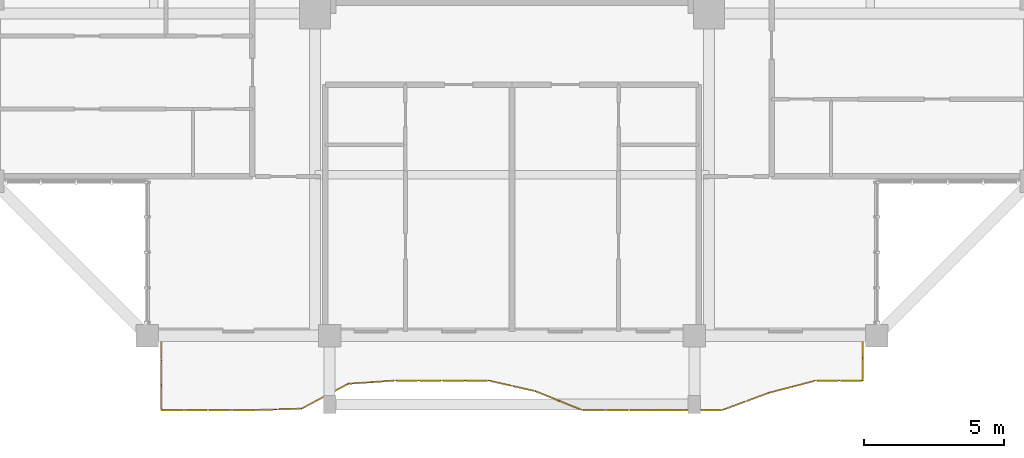
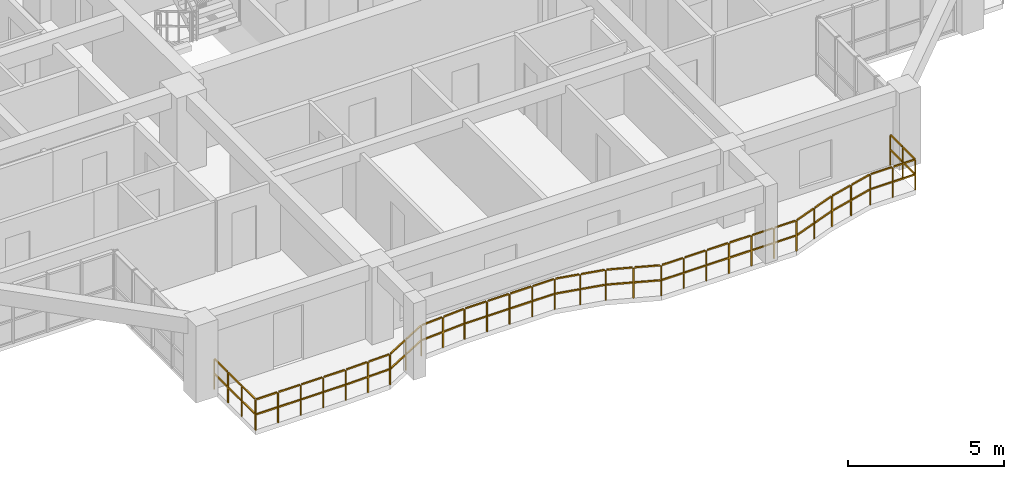
# One storey, part 18 of 22: 1 railing.
"""IFC4 building model written with IfcOpenShell, lengths in metres."""

from ifc_helpers import new_model, si_unit, direction, frame, origin, origin_2d, place, context, subcontext, project, spatial, rectangle, extrude, material, type_object, element, save


model = new_model("IFC4")

# Units and contexts
model_context = context("Model", 3, precision=1e-05, world=origin(), true_north=direction((0.0, 1.0)))
body_context = subcontext(model_context, "Body", "Model", "MODEL_VIEW")
ifc_project = project(units=[si_unit("LENGTHUNIT", "METRE"), si_unit("AREAUNIT", "SQUARE_METRE"), si_unit("VOLUMEUNIT", "CUBIC_METRE"), si_unit("PLANEANGLEUNIT", "RADIAN"), si_unit("MASSUNIT", "GRAM", prefix="KILO")], contexts=[model_context])

# Site, building, storey
site_placement = place(None, origin())
site = spatial("IfcSite", under=ifc_project, at=site_placement, CompositionType="ELEMENT")
building_placement = place(site_placement, origin())
building = spatial("IfcBuilding", under=site, at=building_placement, Name="Saelheon Loggia Tower", CompositionType="ELEMENT")
storey_placement = place(building_placement, frame((0.0, 0.0, 196.60009765625)))
storey = spatial("IfcBuildingStorey", under=building, at=storey_placement, Name="L61", CompositionType="ELEMENT", Elevation=196.60009765625)

# Railing
ifc_material = material(Name="Architectural Precast Concrete and Laminated Glass Guard", Category="concrete")
railing_type = type_object("IfcRailingType", Name="Guard_Loggia_RL_LOG", PredefinedType="BALUSTRADE", material=ifc_material)
railing_placement = place(storey_placement, frame((25.5, 6.0, 0.0)))
element("IfcRailing", 1, at=railing_placement, inside=storey, type_object=railing_type, Name="L61 South Loggia Balustrade", PredefinedType="BALUSTRADE", context=body_context, shape_type="SweptSolid", body=[
    extrude(rectangle(XDim=0.048095703125, YDim=0.048095703125, at=origin_2d()), frame((0.0, -0.033203125, 1.19580078125), z_axis=(0.0, -1.0, 0.0), x_axis=(1.0, 0.0, 0.0)), (0.0, 0.0, 1.0), 0.81689453125),
    extrude(rectangle(XDim=0.048095703125, YDim=0.048095703125, at=origin_2d()), frame((0.0, -0.033203125, 0.60986328125), z_axis=(0.0, -1.0, 0.0), x_axis=(1.0, 0.0, 0.0)), (0.0, 0.0, 1.0), 0.81689453125),
    extrude(rectangle(XDim=0.048095703125, YDim=0.048095703125, at=origin_2d()), frame((0.0, -0.91650390625, 1.19580078125), z_axis=(0.0, -1.0, 0.0), x_axis=(1.0, 0.0, 0.0)), (0.0, 0.0, 1.0), 0.81689453125),
    extrude(rectangle(XDim=0.048095703125, YDim=0.048095703125, at=origin_2d()), frame((0.0, -0.91650390625, 0.60986328125), z_axis=(0.0, -1.0, 0.0), x_axis=(1.0, 0.0, 0.0)), (0.0, 0.0, 1.0), 0.81689453125),
    extrude(rectangle(XDim=0.048095703125, YDim=0.048095703125, at=origin_2d()), frame((0.0, -1.7998046875, 1.19580078125), z_axis=(0.0, -1.0, 0.0), x_axis=(1.0, 0.0, 0.0)), (0.0, 0.0, 1.0), 0.81689453125),
    extrude(rectangle(XDim=0.048095703125, YDim=0.048095703125, at=origin_2d()), frame((0.0, -1.7998046875, 0.60986328125), z_axis=(0.0, -1.0, 0.0), x_axis=(1.0, 0.0, 0.0)), (0.0, 0.0, 1.0), 0.81689453125),
    extrude(rectangle(XDim=0.048095703125, YDim=0.048095703125, at=origin_2d()), frame((0.033203125, -2.64990234375, 1.19580078125), z_axis=(1.0, 0.0, 0.0), x_axis=(0.0, 1.0, 0.0)), (0.0, 0.0, 1.0), 0.766845703125),
    extrude(rectangle(XDim=0.048095703125, YDim=0.048095703125, at=origin_2d()), frame((0.033203125, -2.64990234375, 0.60986328125), z_axis=(1.0, 0.0, 0.0), x_axis=(0.0, 1.0, 0.0)), (0.0, 0.0, 1.0), 0.766845703125),
    extrude(rectangle(XDim=0.048095703125, YDim=0.048095703125, at=origin_2d()), frame((0.86669921875, -2.64990234375, 1.19580078125), z_axis=(1.0, 0.0, 0.0), x_axis=(0.0, 1.0, 0.0)), (0.0, 0.0, 1.0), 0.766845703125),
    extrude(rectangle(XDim=0.048095703125, YDim=0.048095703125, at=origin_2d()), frame((0.86669921875, -2.64990234375, 0.60986328125), z_axis=(1.0, 0.0, 0.0), x_axis=(0.0, 1.0, 0.0)), (0.0, 0.0, 1.0), 0.766845703125),
    extrude(rectangle(XDim=0.048095703125, YDim=0.048095703125, at=origin_2d()), frame((1.699951171875, -2.64990234375, 1.19580078125), z_axis=(1.0, 0.0, 0.0), x_axis=(0.0, 1.0, 0.0)), (0.0, 0.0, 1.0), 0.766845703125),
    extrude(rectangle(XDim=0.048095703125, YDim=0.048095703125, at=origin_2d()), frame((1.699951171875, -2.64990234375, 0.60986328125), z_axis=(1.0, 0.0, 0.0), x_axis=(0.0, 1.0, 0.0)), (0.0, 0.0, 1.0), 0.766845703125),
    extrude(rectangle(XDim=0.048095703125, YDim=0.048095703125, at=origin_2d()), frame((2.533203125, -2.64990234375, 1.19580078125), z_axis=(1.0, 0.0, 0.0), x_axis=(0.0, 1.0, 0.0)), (0.0, 0.0, 1.0), 0.766845703125),
    extrude(rectangle(XDim=0.048095703125, YDim=0.048095703125, at=origin_2d()), frame((2.533203125, -2.64990234375, 0.60986328125), z_axis=(1.0, 0.0, 0.0), x_axis=(0.0, 1.0, 0.0)), (0.0, 0.0, 1.0), 0.766845703125),
    extrude(rectangle(XDim=0.048095703125, YDim=0.048095703125, at=origin_2d()), frame((3.366455078125, -2.64892578125, 1.19580078125), z_axis=(0.999608869146, 0.027966206827, 0.0), x_axis=(-0.027966206827, 0.999608869146, 0.0)), (0.0, 0.0, 1.0), 0.767333984375),
    extrude(rectangle(XDim=0.048095703125, YDim=0.048095703125, at=origin_2d()), frame((3.366455078125, -2.64892578125, 0.60986328125), z_axis=(0.999608869146, 0.027966206827, 0.0), x_axis=(-0.027966206827, 0.999608869146, 0.0)), (0.0, 0.0, 1.0), 0.767333984375),
    extrude(rectangle(XDim=0.048095703125, YDim=0.048095703125, at=origin_2d()), frame((4.199951171875, -2.625732421875, 1.19580078125), z_axis=(0.999608869146, 0.027966206827, 0.0), x_axis=(-0.027966206827, 0.999608869146, 0.0)), (0.0, 0.0, 1.0), 0.767333984375),
    extrude(rectangle(XDim=0.048095703125, YDim=0.048095703125, at=origin_2d()), frame((4.199951171875, -2.625732421875, 0.60986328125), z_axis=(0.999608869146, 0.027966206827, 0.0), x_axis=(-0.027966206827, 0.999608869146, 0.0)), (0.0, 0.0, 1.0), 0.767333984375),
    extrude(rectangle(XDim=0.048095703125, YDim=0.048095703125, at=origin_2d()), frame((5.029296875, -2.587646484375, 1.19580078125), z_axis=(0.88224917848, 0.470782738714, 0.0), x_axis=(-0.470782738714, 0.88224917848, 0.0)), (0.0, 0.0, 1.0), 0.878173828125),
    extrude(rectangle(XDim=0.048095703125, YDim=0.048095703125, at=origin_2d()), frame((5.029296875, -2.587646484375, 0.60986328125), z_axis=(0.88224917848, 0.470782738714, 0.0), x_axis=(-0.470782738714, 0.88224917848, 0.0)), (0.0, 0.0, 1.0), 0.878173828125),
    extrude(rectangle(XDim=0.048095703125, YDim=0.048095703125, at=origin_2d()), frame((5.86279296875, -2.142822265625, 1.19580078125), z_axis=(0.88224917848, 0.470782738714, 0.0), x_axis=(-0.470782738714, 0.88224917848, 0.0)), (0.0, 0.0, 1.0), 0.878173828125),
    extrude(rectangle(XDim=0.048095703125, YDim=0.048095703125, at=origin_2d()), frame((5.86279296875, -2.142822265625, 0.60986328125), z_axis=(0.88224917848, 0.470782738714, 0.0), x_axis=(-0.470782738714, 0.88224917848, 0.0)), (0.0, 0.0, 1.0), 0.878173828125),
    extrude(rectangle(XDim=0.048095703125, YDim=0.048095703125, at=origin_2d()), frame((6.699951171875, -1.711669921875, 1.19580078125), z_axis=(0.997677827609, 0.068109854624, 0.0), x_axis=(-0.068109854624, 0.997677827609, 0.0)), (0.0, 0.0, 1.0), 0.768798828125),
    extrude(rectangle(XDim=0.048095703125, YDim=0.048095703125, at=origin_2d()), frame((6.699951171875, -1.711669921875, 0.60986328125), z_axis=(0.997677827609, 0.068109854624, 0.0), x_axis=(-0.068109854624, 0.997677827609, 0.0)), (0.0, 0.0, 1.0), 0.768798828125),
    extrude(rectangle(XDim=0.048095703125, YDim=0.048095703125, at=origin_2d()), frame((7.533203125, -1.65478515625, 1.19580078125), z_axis=(0.997677827609, 0.068109854624, 0.0), x_axis=(-0.068109854624, 0.997677827609, 0.0)), (0.0, 0.0, 1.0), 0.768798828125),
    extrude(rectangle(XDim=0.048095703125, YDim=0.048095703125, at=origin_2d()), frame((7.533203125, -1.65478515625, 0.60986328125), z_axis=(0.997677827609, 0.068109854624, 0.0), x_axis=(-0.068109854624, 0.997677827609, 0.0)), (0.0, 0.0, 1.0), 0.768798828125),
    extrude(rectangle(XDim=0.048095703125, YDim=0.048095703125, at=origin_2d()), frame((8.366455078125, -1.60009765625, 1.19580078125), z_axis=(1.0, 0.0, 0.0), x_axis=(0.0, 1.0, 0.0)), (0.0, 0.0, 1.0), 0.766845703125),
    extrude(rectangle(XDim=0.048095703125, YDim=0.048095703125, at=origin_2d()), frame((8.366455078125, -1.60009765625, 0.60986328125), z_axis=(1.0, 0.0, 0.0), x_axis=(0.0, 1.0, 0.0)), (0.0, 0.0, 1.0), 0.766845703125),
    extrude(rectangle(XDim=0.048095703125, YDim=0.048095703125, at=origin_2d()), frame((9.199951171875, -1.60009765625, 1.19580078125), z_axis=(1.0, 0.0, 0.0), x_axis=(0.0, 1.0, 0.0)), (0.0, 0.0, 1.0), 0.766845703125),
    extrude(rectangle(XDim=0.048095703125, YDim=0.048095703125, at=origin_2d()), frame((9.199951171875, -1.60009765625, 0.60986328125), z_axis=(1.0, 0.0, 0.0), x_axis=(0.0, 1.0, 0.0)), (0.0, 0.0, 1.0), 0.766845703125),
    extrude(rectangle(XDim=0.048095703125, YDim=0.048095703125, at=origin_2d()), frame((10.033203125, -1.60009765625, 1.19580078125), z_axis=(1.0, 0.0, 0.0), x_axis=(0.0, 1.0, 0.0)), (0.0, 0.0, 1.0), 0.766845703125),
    extrude(rectangle(XDim=0.048095703125, YDim=0.048095703125, at=origin_2d()), frame((10.033203125, -1.60009765625, 0.60986328125), z_axis=(1.0, 0.0, 0.0), x_axis=(0.0, 1.0, 0.0)), (0.0, 0.0, 1.0), 0.766845703125),
    extrude(rectangle(XDim=0.048095703125, YDim=0.048095703125, at=origin_2d()), frame((10.86669921875, -1.60009765625, 1.19580078125), z_axis=(1.0, 0.0, 0.0), x_axis=(0.0, 1.0, 0.0)), (0.0, 0.0, 1.0), 0.766845703125),
    extrude(rectangle(XDim=0.048095703125, YDim=0.048095703125, at=origin_2d()), frame((10.86669921875, -1.60009765625, 0.60986328125), z_axis=(1.0, 0.0, 0.0), x_axis=(0.0, 1.0, 0.0)), (0.0, 0.0, 1.0), 0.766845703125),
    extrude(rectangle(XDim=0.048095703125, YDim=0.048095703125, at=origin_2d()), frame((11.69921875, -1.607421875, 1.19580078125), z_axis=(0.975205779848, -0.221299993112, 0.0), x_axis=(0.221299993112, 0.975205779848, 0.0)), (0.0, 0.0, 1.0), 0.7880859375),
    extrude(rectangle(XDim=0.048095703125, YDim=0.048095703125, at=origin_2d()), frame((11.69921875, -1.607421875, 0.60986328125), z_axis=(0.975205779848, -0.221299993112, 0.0), x_axis=(0.221299993112, 0.975205779848, 0.0)), (0.0, 0.0, 1.0), 0.7880859375),
    extrude(rectangle(XDim=0.048095703125, YDim=0.048095703125, at=origin_2d()), frame((12.532470703125, -1.796630859375, 1.19580078125), z_axis=(0.975205779848, -0.221299993112, 0.0), x_axis=(0.221299993112, 0.975205779848, 0.0)), (0.0, 0.0, 1.0), 0.7880859375),
    extrude(rectangle(XDim=0.048095703125, YDim=0.048095703125, at=origin_2d()), frame((12.532470703125, -1.796630859375, 0.60986328125), z_axis=(0.975205779848, -0.221299993112, 0.0), x_axis=(0.221299993112, 0.975205779848, 0.0)), (0.0, 0.0, 1.0), 0.7880859375),
    extrude(rectangle(XDim=0.048095703125, YDim=0.048095703125, at=origin_2d()), frame((13.364013671875, -1.99072265625, 1.19580078125), z_axis=(0.927527330122, -0.373755336922, 0.0), x_axis=(0.373755336922, 0.927527330122, 0.0)), (0.0, 0.0, 1.0), 0.83203125),
    extrude(rectangle(XDim=0.048095703125, YDim=0.048095703125, at=origin_2d()), frame((13.364013671875, -1.99072265625, 0.60986328125), z_axis=(0.927527330122, -0.373755336922, 0.0), x_axis=(0.373755336922, 0.927527330122, 0.0)), (0.0, 0.0, 1.0), 0.83203125),
    extrude(rectangle(XDim=0.048095703125, YDim=0.048095703125, at=origin_2d()), frame((14.197509765625, -2.326416015625, 1.19580078125), z_axis=(0.927527330122, -0.373755336922, 0.0), x_axis=(0.373755336922, 0.927527330122, 0.0)), (0.0, 0.0, 1.0), 0.83203125),
    extrude(rectangle(XDim=0.048095703125, YDim=0.048095703125, at=origin_2d()), frame((14.197509765625, -2.326416015625, 0.60986328125), z_axis=(0.927527330122, -0.373755336922, 0.0), x_axis=(0.373755336922, 0.927527330122, 0.0)), (0.0, 0.0, 1.0), 0.83203125),
    extrude(rectangle(XDim=0.048095703125, YDim=0.048095703125, at=origin_2d()), frame((15.033203125, -2.64990234375, 1.19580078125), z_axis=(1.0, 0.0, 0.0), x_axis=(0.0, 1.0, 0.0)), (0.0, 0.0, 1.0), 0.766845703125),
    extrude(rectangle(XDim=0.048095703125, YDim=0.048095703125, at=origin_2d()), frame((15.033203125, -2.64990234375, 0.60986328125), z_axis=(1.0, 0.0, 0.0), x_axis=(0.0, 1.0, 0.0)), (0.0, 0.0, 1.0), 0.766845703125),
    extrude(rectangle(XDim=0.048095703125, YDim=0.048095703125, at=origin_2d()), frame((15.86669921875, -2.64990234375, 1.19580078125), z_axis=(1.0, 0.0, 0.0), x_axis=(0.0, 1.0, 0.0)), (0.0, 0.0, 1.0), 0.766845703125),
    extrude(rectangle(XDim=0.048095703125, YDim=0.048095703125, at=origin_2d()), frame((15.86669921875, -2.64990234375, 0.60986328125), z_axis=(1.0, 0.0, 0.0), x_axis=(0.0, 1.0, 0.0)), (0.0, 0.0, 1.0), 0.766845703125),
    extrude(rectangle(XDim=0.048095703125, YDim=0.048095703125, at=origin_2d()), frame((16.699951171875, -2.64990234375, 1.19580078125), z_axis=(1.0, 0.0, 0.0), x_axis=(0.0, 1.0, 0.0)), (0.0, 0.0, 1.0), 0.766845703125),
    extrude(rectangle(XDim=0.048095703125, YDim=0.048095703125, at=origin_2d()), frame((16.699951171875, -2.64990234375, 0.60986328125), z_axis=(1.0, 0.0, 0.0), x_axis=(0.0, 1.0, 0.0)), (0.0, 0.0, 1.0), 0.766845703125),
    extrude(rectangle(XDim=0.048095703125, YDim=0.048095703125, at=origin_2d()), frame((17.533203125, -2.64990234375, 1.19580078125), z_axis=(1.0, 0.0, 0.0), x_axis=(0.0, 1.0, 0.0)), (0.0, 0.0, 1.0), 0.766845703125),
    extrude(rectangle(XDim=0.048095703125, YDim=0.048095703125, at=origin_2d()), frame((17.533203125, -2.64990234375, 0.60986328125), z_axis=(1.0, 0.0, 0.0), x_axis=(0.0, 1.0, 0.0)), (0.0, 0.0, 1.0), 0.766845703125),
    extrude(rectangle(XDim=0.048095703125, YDim=0.048095703125, at=origin_2d()), frame((18.366455078125, -2.64990234375, 1.19580078125), z_axis=(1.0, 0.0, 0.0), x_axis=(0.0, 1.0, 0.0)), (0.0, 0.0, 1.0), 0.766845703125),
    extrude(rectangle(XDim=0.048095703125, YDim=0.048095703125, at=origin_2d()), frame((18.366455078125, -2.64990234375, 0.60986328125), z_axis=(1.0, 0.0, 0.0), x_axis=(0.0, 1.0, 0.0)), (0.0, 0.0, 1.0), 0.766845703125),
    extrude(rectangle(XDim=0.048095703125, YDim=0.048095703125, at=origin_2d()), frame((19.199951171875, -2.64990234375, 1.19580078125), z_axis=(1.0, 0.0, 0.0), x_axis=(0.0, 1.0, 0.0)), (0.0, 0.0, 1.0), 0.766845703125),
    extrude(rectangle(XDim=0.048095703125, YDim=0.048095703125, at=origin_2d()), frame((19.199951171875, -2.64990234375, 0.60986328125), z_axis=(1.0, 0.0, 0.0), x_axis=(0.0, 1.0, 0.0)), (0.0, 0.0, 1.0), 0.766845703125),
    extrude(rectangle(XDim=0.048095703125, YDim=0.048095703125, at=origin_2d()), frame((20.03125, -2.638427734375, 1.19580078125), z_axis=(0.937682471457, 0.347493284427, 0.0), x_axis=(-0.347493284427, 0.937682471457, 0.0)), (0.0, 0.0, 1.0), 0.822265625),
    extrude(rectangle(XDim=0.048095703125, YDim=0.048095703125, at=origin_2d()), frame((20.03125, -2.638427734375, 0.60986328125), z_axis=(0.937682471457, 0.347493284427, 0.0), x_axis=(-0.347493284427, 0.937682471457, 0.0)), (0.0, 0.0, 1.0), 0.822265625),
    extrude(rectangle(XDim=0.048095703125, YDim=0.048095703125, at=origin_2d()), frame((20.864501953125, -2.32958984375, 1.19580078125), z_axis=(0.937682471457, 0.347493284427, 0.0), x_axis=(-0.347493284427, 0.937682471457, 0.0)), (0.0, 0.0, 1.0), 0.822265625),
    extrude(rectangle(XDim=0.048095703125, YDim=0.048095703125, at=origin_2d()), frame((20.864501953125, -2.32958984375, 0.60986328125), z_axis=(0.937682471457, 0.347493284427, 0.0), x_axis=(-0.347493284427, 0.937682471457, 0.0)), (0.0, 0.0, 1.0), 0.822265625),
    extrude(rectangle(XDim=0.048095703125, YDim=0.048095703125, at=origin_2d()), frame((21.698974609375, -2.02392578125, 1.19580078125), z_axis=(0.96798669005, 0.25100152965, 0.0), x_axis=(-0.25100152965, 0.96798669005, 0.0)), (0.0, 0.0, 1.0), 0.79443359375),
    extrude(rectangle(XDim=0.048095703125, YDim=0.048095703125, at=origin_2d()), frame((21.698974609375, -2.02392578125, 0.60986328125), z_axis=(0.96798669005, 0.25100152965, 0.0), x_axis=(-0.25100152965, 0.96798669005, 0.0)), (0.0, 0.0, 1.0), 0.79443359375),
    extrude(rectangle(XDim=0.048095703125, YDim=0.048095703125, at=origin_2d()), frame((22.5322265625, -1.807861328125, 1.19580078125), z_axis=(0.96798669005, 0.25100152965, 0.0), x_axis=(-0.25100152965, 0.96798669005, 0.0)), (0.0, 0.0, 1.0), 0.79443359375),
    extrude(rectangle(XDim=0.048095703125, YDim=0.048095703125, at=origin_2d()), frame((22.5322265625, -1.807861328125, 0.60986328125), z_axis=(0.96798669005, 0.25100152965, 0.0), x_axis=(-0.25100152965, 0.96798669005, 0.0)), (0.0, 0.0, 1.0), 0.79443359375),
    extrude(rectangle(XDim=0.048095703125, YDim=0.048095703125, at=origin_2d()), frame((23.366455078125, -1.60009765625, 1.19580078125), z_axis=(1.0, 0.0, 0.0), x_axis=(0.0, 1.0, 0.0)), (0.0, 0.0, 1.0), 0.766845703125),
    extrude(rectangle(XDim=0.048095703125, YDim=0.048095703125, at=origin_2d()), frame((23.366455078125, -1.60009765625, 0.60986328125), z_axis=(1.0, 0.0, 0.0), x_axis=(0.0, 1.0, 0.0)), (0.0, 0.0, 1.0), 0.766845703125),
    extrude(rectangle(XDim=0.048095703125, YDim=0.048095703125, at=origin_2d()), frame((24.199951171875, -1.60009765625, 1.19580078125), z_axis=(1.0, 0.0, 0.0), x_axis=(0.0, 1.0, 0.0)), (0.0, 0.0, 1.0), 0.766845703125),
    extrude(rectangle(XDim=0.048095703125, YDim=0.048095703125, at=origin_2d()), frame((24.199951171875, -1.60009765625, 0.60986328125), z_axis=(1.0, 0.0, 0.0), x_axis=(0.0, 1.0, 0.0)), (0.0, 0.0, 1.0), 0.766845703125),
    extrude(rectangle(XDim=0.048095703125, YDim=0.048095703125, at=origin_2d()), frame((25.0, -1.56689453125, 1.19580078125), z_axis=(0.0, 1.0, 0.0), x_axis=(-1.0, 0.0, 0.0)), (0.0, 0.0, 1.0), 0.733642578125),
    extrude(rectangle(XDim=0.048095703125, YDim=0.048095703125, at=origin_2d()), frame((25.0, -1.56689453125, 0.60986328125), z_axis=(0.0, 1.0, 0.0), x_axis=(-1.0, 0.0, 0.0)), (0.0, 0.0, 1.0), 0.733642578125),
    extrude(rectangle(XDim=0.048095703125, YDim=0.048095703125, at=origin_2d()), frame((25.0, -0.766845703125, 1.19580078125), z_axis=(0.0, 1.0, 0.0), x_axis=(-1.0, 0.0, 0.0)), (0.0, 0.0, 1.0), 0.733642578125),
    extrude(rectangle(XDim=0.048095703125, YDim=0.048095703125, at=origin_2d()), frame((25.0, -0.766845703125, 0.60986328125), z_axis=(0.0, 1.0, 0.0), x_axis=(-1.0, 0.0, 0.0)), (0.0, 0.0, 1.0), 0.733642578125),
    extrude(rectangle(XDim=0.0419921875, YDim=0.0419921875, at=origin_2d()), origin(), (0.0, 0.0, 1.0), 1.16796875),
    extrude(rectangle(XDim=0.0419921875, YDim=0.0419921875, at=origin_2d()), frame((0.0, -0.88330078125, 0.0)), (0.0, 0.0, 1.0), 1.16796875),
    extrude(rectangle(XDim=0.0419921875, YDim=0.0419921875, at=origin_2d()), frame((0.0, -1.7666015625, 0.0)), (0.0, 0.0, 1.0), 1.16796875),
    extrude(rectangle(XDim=0.0419921875, YDim=0.0419921875, at=origin_2d()), frame((0.0, -2.64990234375, 0.0)), (0.0, 0.0, 1.0), 1.16796875),
    extrude(rectangle(XDim=0.0419921875, YDim=0.0419921875, at=origin_2d()), frame((0.83349609375, -2.64990234375, 0.0)), (0.0, 0.0, 1.0), 1.16796875),
    extrude(rectangle(XDim=0.0419921875, YDim=0.0419921875, at=origin_2d()), frame((1.666748046875, -2.64990234375, 0.0)), (0.0, 0.0, 1.0), 1.16796875),
    extrude(rectangle(XDim=0.0419921875, YDim=0.0419921875, at=origin_2d()), frame((2.5, -2.64990234375, 0.0)), (0.0, 0.0, 1.0), 1.16796875),
    extrude(rectangle(XDim=0.0419921875, YDim=0.0419921875, at=origin_2d()), frame((3.333251953125, -2.64990234375, 0.0)), (0.0, 0.0, 1.0), 1.16796875),
    extrude(rectangle(XDim=0.0419921875, YDim=0.0419921875, at=origin_2d()), frame((4.16650390625, -2.62646484375, 0.0)), (0.0, 0.0, 1.0), 1.16796875),
    extrude(rectangle(XDim=0.0419921875, YDim=0.0419921875, at=origin_2d()), frame((5.0, -2.603271484375, 0.0)), (0.0, 0.0, 1.0), 1.16796875),
    extrude(rectangle(XDim=0.0419921875, YDim=0.0419921875, at=origin_2d()), frame((5.83349609375, -2.15869140625, 0.0)), (0.0, 0.0, 1.0), 1.16796875),
    extrude(rectangle(XDim=0.0419921875, YDim=0.0419921875, at=origin_2d()), frame((6.666748046875, -1.7138671875, 0.0)), (0.0, 0.0, 1.0), 1.16796875),
    extrude(rectangle(XDim=0.0419921875, YDim=0.0419921875, at=origin_2d()), frame((7.5, -1.656982421875, 0.0)), (0.0, 0.0, 1.0), 1.16796875),
    extrude(rectangle(XDim=0.0419921875, YDim=0.0419921875, at=origin_2d()), frame((8.333251953125, -1.60009765625, 0.0)), (0.0, 0.0, 1.0), 1.16796875),
    extrude(rectangle(XDim=0.0419921875, YDim=0.0419921875, at=origin_2d()), frame((9.16650390625, -1.60009765625, 0.0)), (0.0, 0.0, 1.0), 1.16796875),
    extrude(rectangle(XDim=0.0419921875, YDim=0.0419921875, at=origin_2d()), frame((10.0, -1.60009765625, 0.0)), (0.0, 0.0, 1.0), 1.16796875),
    extrude(rectangle(XDim=0.0419921875, YDim=0.0419921875, at=origin_2d()), frame((10.83349609375, -1.60009765625, 0.0)), (0.0, 0.0, 1.0), 1.16796875),
    extrude(rectangle(XDim=0.0419921875, YDim=0.0419921875, at=origin_2d()), frame((11.666748046875, -1.60009765625, 0.0)), (0.0, 0.0, 1.0), 1.16796875),
    extrude(rectangle(XDim=0.0419921875, YDim=0.0419921875, at=origin_2d()), frame((12.5, -1.7890625, 0.0)), (0.0, 0.0, 1.0), 1.16796875),
    extrude(rectangle(XDim=0.0419921875, YDim=0.0419921875, at=origin_2d()), frame((13.333251953125, -1.978271484375, 0.0)), (0.0, 0.0, 1.0), 1.16796875),
    extrude(rectangle(XDim=0.0419921875, YDim=0.0419921875, at=origin_2d()), frame((14.16650390625, -2.31396484375, 0.0)), (0.0, 0.0, 1.0), 1.16796875),
    extrude(rectangle(XDim=0.0419921875, YDim=0.0419921875, at=origin_2d()), frame((15.0, -2.64990234375, 0.0)), (0.0, 0.0, 1.0), 1.16796875),
    extrude(rectangle(XDim=0.0419921875, YDim=0.0419921875, at=origin_2d()), frame((15.83349609375, -2.64990234375, 0.0)), (0.0, 0.0, 1.0), 1.16796875),
    extrude(rectangle(XDim=0.0419921875, YDim=0.0419921875, at=origin_2d()), frame((16.666748046875, -2.64990234375, 0.0)), (0.0, 0.0, 1.0), 1.16796875),
    extrude(rectangle(XDim=0.0419921875, YDim=0.0419921875, at=origin_2d()), frame((17.5, -2.64990234375, 0.0)), (0.0, 0.0, 1.0), 1.16796875),
    extrude(rectangle(XDim=0.0419921875, YDim=0.0419921875, at=origin_2d()), frame((18.333251953125, -2.64990234375, 0.0)), (0.0, 0.0, 1.0), 1.16796875),
    extrude(rectangle(XDim=0.0419921875, YDim=0.0419921875, at=origin_2d()), frame((19.16650390625, -2.64990234375, 0.0)), (0.0, 0.0, 1.0), 1.16796875),
    extrude(rectangle(XDim=0.0419921875, YDim=0.0419921875, at=origin_2d()), frame((20.0, -2.64990234375, 0.0)), (0.0, 0.0, 1.0), 1.16796875),
    extrude(rectangle(XDim=0.0419921875, YDim=0.0419921875, at=origin_2d()), frame((20.83349609375, -2.341064453125, 0.0)), (0.0, 0.0, 1.0), 1.16796875),
    extrude(rectangle(XDim=0.0419921875, YDim=0.0419921875, at=origin_2d()), frame((21.666748046875, -2.0322265625, 0.0)), (0.0, 0.0, 1.0), 1.16796875),
    extrude(rectangle(XDim=0.0419921875, YDim=0.0419921875, at=origin_2d()), frame((22.5, -1.816162109375, 0.0)), (0.0, 0.0, 1.0), 1.16796875),
    extrude(rectangle(XDim=0.0419921875, YDim=0.0419921875, at=origin_2d()), frame((23.333251953125, -1.60009765625, 0.0)), (0.0, 0.0, 1.0), 1.16796875),
    extrude(rectangle(XDim=0.0419921875, YDim=0.0419921875, at=origin_2d()), frame((24.16650390625, -1.60009765625, 0.0)), (0.0, 0.0, 1.0), 1.16796875),
    extrude(rectangle(XDim=0.0419921875, YDim=0.0419921875, at=origin_2d()), frame((25.0, -1.60009765625, 0.0)), (0.0, 0.0, 1.0), 1.16796875),
    extrude(rectangle(XDim=0.0419921875, YDim=0.0419921875, at=origin_2d()), frame((25.0, -0.800048828125, 0.0)), (0.0, 0.0, 1.0), 1.16796875),
    extrude(rectangle(XDim=0.0419921875, YDim=0.0419921875, at=origin_2d()), frame((25.0, 0.0, 0.0)), (0.0, 0.0, 1.0), 1.16796875),
])

save(model, "model.ifc")
